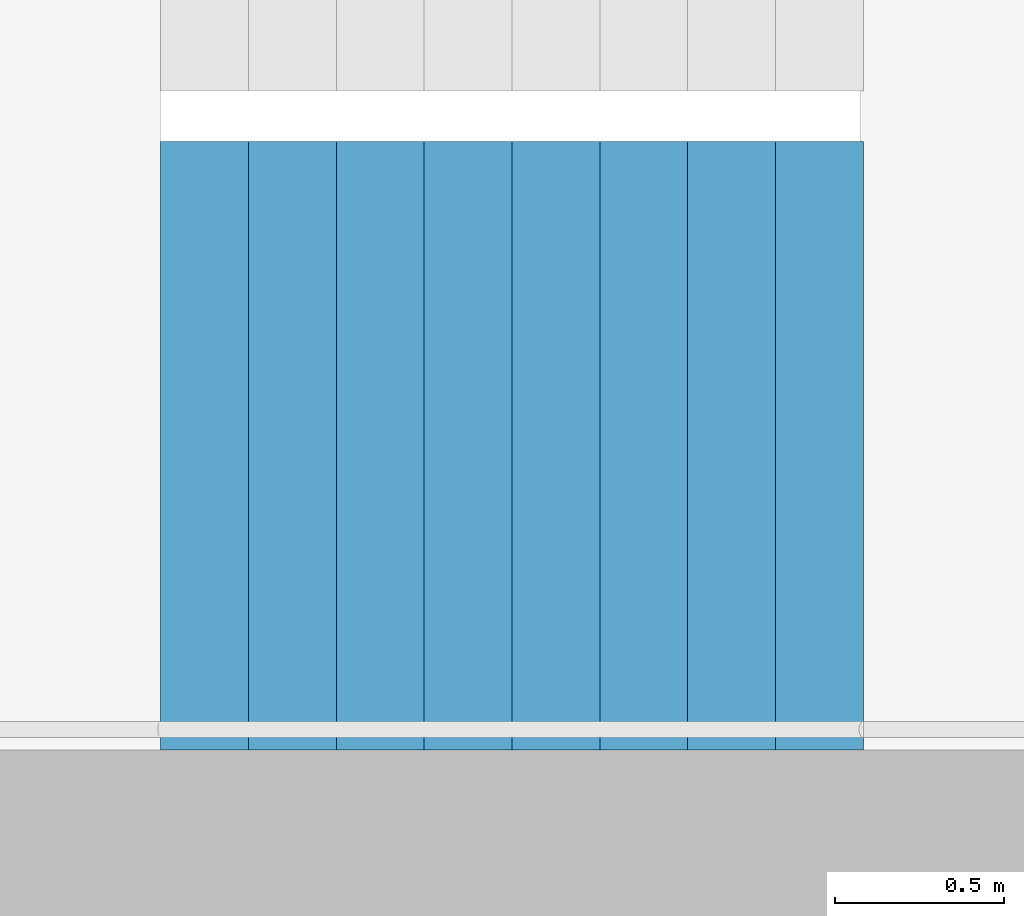
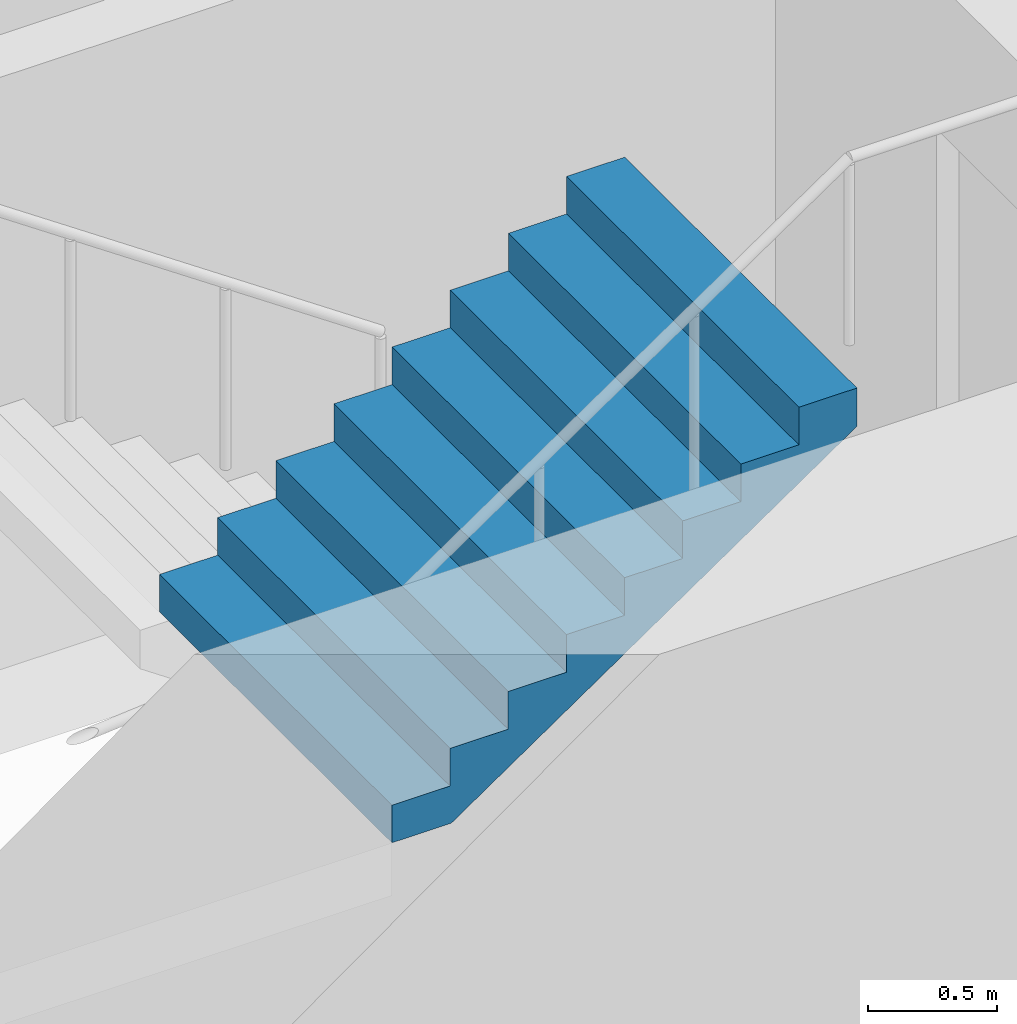
# One storey, part 22 of 37: 1 stair flight, 1 element without a shape of its own.
"""IFC4 building model written with IfcOpenShell, lengths in metres."""

from ifc_helpers import new_model, si_unit, direction, frame, origin, place, context, subcontext, project, spatial, triangles, material, type_object, element, aggregate, save


model = new_model("IFC4")

# Units and contexts
model_context = context("Model", 3, precision=1e-05, world=origin(), true_north=direction((0.0, 1.0)))
body_context = subcontext(model_context, "Body", "Model", "MODEL_VIEW")
ifc_project = project(units=[si_unit("LENGTHUNIT", "METRE"), si_unit("AREAUNIT", "SQUARE_METRE"), si_unit("VOLUMEUNIT", "CUBIC_METRE"), si_unit("PLANEANGLEUNIT", "RADIAN"), si_unit("MASSUNIT", "GRAM", prefix="KILO")], contexts=[model_context])

# Site, building, storey
site_placement = place(None, origin())
site = spatial("IfcSite", under=ifc_project, at=site_placement, CompositionType="ELEMENT")
building_placement = place(site_placement, origin())
building = spatial("IfcBuilding", under=site, at=building_placement, Name="Hakoniwa Tower and Hamabe Station Hall", CompositionType="ELEMENT")
storey_placement = place(building_placement, frame((0.0, 0.0, 39.0)))
storey = spatial("IfcBuildingStorey", under=building, at=storey_placement, Name="L10", CompositionType="ELEMENT", Elevation=39.0)

# Stair, stair flight
ifc_material_1 = material(Name="Concrete C40", Category="concrete")
stair_type = type_object("IfcStairType", Name="ESCAPE STAIR 1800", PredefinedType="HALF_TURN_STAIR", material=ifc_material_1)
stair_placement = place(storey_placement, origin())
stair = element("IfcStair", 1, at=stair_placement, inside=storey, type_object=stair_type, Name="Escape stair ST-2 L10", PredefinedType="HALF_TURN_STAIR")
ifc_material_2 = material(Name="Concrete C40", Category="concrete")
stair_flight_type = type_object("IfcStairFlightType", Name="STAIR FLIGHT 1800", PredefinedType="STRAIGHT", material=ifc_material_2)
stair_flight_placement = place(storey_placement, frame((-25.47998046875, -6.60009765625, 1.60009765625), z_axis=(0.0, 0.0, 1.0), x_axis=(1.0, 0.0, 0.0)))
stair_flight = element("IfcStairFlight", 2, at=stair_flight_placement, type_object=stair_flight_type, Name="ST-2 flight 2", NumberOfRisers=9, NumberOfTreads=8, PredefinedType="STRAIGHT", RiserHeight=0.177777778, TreadLength=0.26, context=body_context, shape_type="Tessellation", body=[
    triangles([(0.0, 0.89990234375, 0.0), (0.260009765625, 0.89990234375, 0.0), (0.265625, 0.89990234375, 0.0), (0.52001953125, 0.89990234375, 0.174072265625), (0.780029296875, 0.89990234375, 0.351806640625), (1.0400390625, 0.89990234375, 0.529541015625), (1.300048828125, 0.89990234375, 0.707275390625), (1.56005859375, 0.89990234375, 0.885009765625), (1.820068359375, 0.89990234375, 1.062744140625), (2.080078125, 0.89990234375, 1.24072265625), (2.080078125, 0.89990234375, 1.422119140625), (1.820068359375, 0.89990234375, 1.422119140625), (1.820068359375, 0.89990234375, 1.244384765625), (1.56005859375, 0.89990234375, 1.244384765625), (1.56005859375, 0.89990234375, 1.066650390625), (1.300048828125, 0.89990234375, 1.066650390625), (1.300048828125, 0.89990234375, 0.888916015625), (1.0400390625, 0.89990234375, 0.888916015625), (1.0400390625, 0.89990234375, 0.711181640625), (0.780029296875, 0.89990234375, 0.711181640625), (0.780029296875, 0.89990234375, 0.533447265625), (0.52001953125, 0.89990234375, 0.533447265625), (0.52001953125, 0.89990234375, 0.35546875), (0.265625, 0.89990234375, 0.35546875), (0.260009765625, 0.89990234375, 0.35546875), (0.260009765625, 0.89990234375, 0.177734375), (0.0, 0.89990234375, 0.177734375), (0.0, 0.06005859375, 0.0), (0.260009765625, 0.06005859375, 0.0), (0.265625, 0.06005859375, 0.0), (0.52001953125, 0.06005859375, 0.174072265625), (0.780029296875, 0.06005859375, 0.351806640625), (1.0400390625, 0.06005859375, 0.529541015625), (1.300048828125, 0.06005859375, 0.707275390625), (1.56005859375, 0.06005859375, 0.885009765625), (1.820068359375, 0.06005859375, 1.062744140625), (2.080078125, 0.06005859375, 1.24072265625), (2.080078125, 0.06005859375, 1.422119140625), (1.820068359375, 0.06005859375, 1.422119140625), (1.820068359375, 0.06005859375, 1.244384765625), (1.56005859375, 0.06005859375, 1.244384765625), (1.56005859375, 0.06005859375, 1.066650390625), (1.300048828125, 0.06005859375, 1.066650390625), (1.300048828125, 0.06005859375, 0.888916015625), (1.0400390625, 0.06005859375, 0.888916015625), (1.0400390625, 0.06005859375, 0.711181640625), (0.780029296875, 0.06005859375, 0.711181640625), (0.780029296875, 0.06005859375, 0.533447265625), (0.52001953125, 0.06005859375, 0.533447265625), (0.52001953125, 0.06005859375, 0.35546875), (0.265625, 0.06005859375, 0.35546875), (0.260009765625, 0.06005859375, 0.35546875), (0.260009765625, 0.06005859375, 0.177734375), (0.0, 0.06005859375, 0.177734375), (0.0, 0.04296875, 0.0), (0.260009765625, 0.04296875, 0.0), (0.265625, 0.04296875, 0.0), (0.52001953125, 0.04296875, 0.174072265625), (0.780029296875, 0.04296875, 0.351806640625), (1.0400390625, 0.04296875, 0.529541015625), (1.300048828125, 0.04296875, 0.707275390625), (1.56005859375, 0.04296875, 0.885009765625), (1.820068359375, 0.04296875, 1.062744140625), (2.080078125, 0.04296875, 1.24072265625), (2.080078125, 0.04296875, 1.422119140625), (1.820068359375, 0.04296875, 1.422119140625), (1.820068359375, 0.04296875, 1.244384765625), (1.56005859375, 0.04296875, 1.244384765625), (1.56005859375, 0.04296875, 1.066650390625), (1.300048828125, 0.04296875, 1.066650390625), (1.300048828125, 0.04296875, 0.888916015625), (1.0400390625, 0.04296875, 0.888916015625), (1.0400390625, 0.04296875, 0.711181640625), (0.780029296875, 0.04296875, 0.711181640625), (0.780029296875, 0.04296875, 0.533447265625), (0.52001953125, 0.04296875, 0.533447265625), (0.52001953125, 0.04296875, 0.35546875), (0.265625, 0.04296875, 0.35546875), (0.260009765625, 0.04296875, 0.35546875), (0.260009765625, 0.04296875, 0.177734375), (0.0, 0.04296875, 0.177734375), (0.0, 0.025634765625, 0.0), (0.260009765625, 0.025634765625, 0.0), (0.265625, 0.025634765625, 0.0), (0.52001953125, 0.025634765625, 0.174072265625), (0.780029296875, 0.025634765625, 0.351806640625), (1.0400390625, 0.025634765625, 0.529541015625), (1.300048828125, 0.025634765625, 0.707275390625), (1.56005859375, 0.025634765625, 0.885009765625), (1.820068359375, 0.025634765625, 1.062744140625), (2.080078125, 0.025634765625, 1.24072265625), (2.080078125, 0.025634765625, 1.422119140625), (1.820068359375, 0.025634765625, 1.422119140625), (1.820068359375, 0.025634765625, 1.244384765625), (1.56005859375, 0.025634765625, 1.244384765625), (1.56005859375, 0.025634765625, 1.066650390625), (1.300048828125, 0.025634765625, 1.066650390625), (1.300048828125, 0.025634765625, 0.888916015625), (1.0400390625, 0.025634765625, 0.888916015625), (1.0400390625, 0.025634765625, 0.711181640625), (0.780029296875, 0.025634765625, 0.711181640625), (0.780029296875, 0.025634765625, 0.533447265625), (0.52001953125, 0.025634765625, 0.533447265625), (0.52001953125, 0.025634765625, 0.35546875), (0.265625, 0.025634765625, 0.35546875), (0.260009765625, 0.025634765625, 0.35546875), (0.260009765625, 0.025634765625, 0.177734375), (0.0, 0.025634765625, 0.177734375), (0.0, 0.008544921875, 0.0), (0.260009765625, 0.008544921875, 0.0), (0.265625, 0.008544921875, 0.0), (0.52001953125, 0.008544921875, 0.174072265625), (0.780029296875, 0.008544921875, 0.351806640625), (1.0400390625, 0.008544921875, 0.529541015625), (1.300048828125, 0.008544921875, 0.707275390625), (1.56005859375, 0.008544921875, 0.885009765625), (1.820068359375, 0.008544921875, 1.062744140625), (2.080078125, 0.008544921875, 1.24072265625), (2.080078125, 0.008544921875, 1.422119140625), (1.820068359375, 0.008544921875, 1.422119140625), (1.820068359375, 0.008544921875, 1.244384765625), (1.56005859375, 0.008544921875, 1.244384765625), (1.56005859375, 0.008544921875, 1.066650390625), (1.300048828125, 0.008544921875, 1.066650390625), (1.300048828125, 0.008544921875, 0.888916015625), (1.0400390625, 0.008544921875, 0.888916015625), (1.0400390625, 0.008544921875, 0.711181640625), (0.780029296875, 0.008544921875, 0.711181640625), (0.780029296875, 0.008544921875, 0.533447265625), (0.52001953125, 0.008544921875, 0.533447265625), (0.52001953125, 0.008544921875, 0.35546875), (0.265625, 0.008544921875, 0.35546875), (0.260009765625, 0.008544921875, 0.35546875), (0.260009765625, 0.008544921875, 0.177734375), (0.0, 0.008544921875, 0.177734375), (0.0, -0.008544921875, 0.0), (0.260009765625, -0.008544921875, 0.0), (0.265625, -0.008544921875, 0.0), (0.52001953125, -0.008544921875, 0.174072265625), (0.780029296875, -0.008544921875, 0.351806640625), (1.0400390625, -0.008544921875, 0.529541015625), (1.300048828125, -0.008544921875, 0.707275390625), (1.56005859375, -0.008544921875, 0.885009765625), (1.820068359375, -0.008544921875, 1.062744140625), (2.080078125, -0.008544921875, 1.24072265625), (2.080078125, -0.008544921875, 1.422119140625), (1.820068359375, -0.008544921875, 1.422119140625), (1.820068359375, -0.008544921875, 1.244384765625), (1.56005859375, -0.008544921875, 1.244384765625), (1.56005859375, -0.008544921875, 1.066650390625), (1.300048828125, -0.008544921875, 1.066650390625), (1.300048828125, -0.008544921875, 0.888916015625), (1.0400390625, -0.008544921875, 0.888916015625), (1.0400390625, -0.008544921875, 0.711181640625), (0.780029296875, -0.008544921875, 0.711181640625), (0.780029296875, -0.008544921875, 0.533447265625), (0.52001953125, -0.008544921875, 0.533447265625), (0.52001953125, -0.008544921875, 0.35546875), (0.265625, -0.008544921875, 0.35546875), (0.260009765625, -0.008544921875, 0.35546875), (0.260009765625, -0.008544921875, 0.177734375), (0.0, -0.008544921875, 0.177734375), (0.0, -0.025634765625, 0.0), (0.260009765625, -0.025634765625, 0.0), (0.265625, -0.025634765625, 0.0), (0.52001953125, -0.025634765625, 0.174072265625), (0.780029296875, -0.025634765625, 0.351806640625), (1.0400390625, -0.025634765625, 0.529541015625), (1.300048828125, -0.025634765625, 0.707275390625), (1.56005859375, -0.025634765625, 0.885009765625), (1.820068359375, -0.025634765625, 1.062744140625), (2.080078125, -0.025634765625, 1.24072265625), (2.080078125, -0.025634765625, 1.422119140625), (1.820068359375, -0.025634765625, 1.422119140625), (1.820068359375, -0.025634765625, 1.244384765625), (1.56005859375, -0.025634765625, 1.244384765625), (1.56005859375, -0.025634765625, 1.066650390625), (1.300048828125, -0.025634765625, 1.066650390625), (1.300048828125, -0.025634765625, 0.888916015625), (1.0400390625, -0.025634765625, 0.888916015625), (1.0400390625, -0.025634765625, 0.711181640625), (0.780029296875, -0.025634765625, 0.711181640625), (0.780029296875, -0.025634765625, 0.533447265625), (0.52001953125, -0.025634765625, 0.533447265625), (0.52001953125, -0.025634765625, 0.35546875), (0.265625, -0.025634765625, 0.35546875), (0.260009765625, -0.025634765625, 0.35546875), (0.260009765625, -0.025634765625, 0.177734375), (0.0, -0.025634765625, 0.177734375), (0.0, -0.04296875, 0.0), (0.260009765625, -0.04296875, 0.0), (0.265625, -0.04296875, 0.0), (0.52001953125, -0.04296875, 0.174072265625), (0.780029296875, -0.04296875, 0.351806640625), (1.0400390625, -0.04296875, 0.529541015625), (1.300048828125, -0.04296875, 0.707275390625), (1.56005859375, -0.04296875, 0.885009765625), (1.820068359375, -0.04296875, 1.062744140625), (2.080078125, -0.04296875, 1.24072265625), (2.080078125, -0.04296875, 1.422119140625), (1.820068359375, -0.04296875, 1.422119140625), (1.820068359375, -0.04296875, 1.244384765625), (1.56005859375, -0.04296875, 1.244384765625), (1.56005859375, -0.04296875, 1.066650390625), (1.300048828125, -0.04296875, 1.066650390625), (1.300048828125, -0.04296875, 0.888916015625), (1.0400390625, -0.04296875, 0.888916015625), (1.0400390625, -0.04296875, 0.711181640625), (0.780029296875, -0.04296875, 0.711181640625), (0.780029296875, -0.04296875, 0.533447265625), (0.52001953125, -0.04296875, 0.533447265625), (0.52001953125, -0.04296875, 0.35546875), (0.265625, -0.04296875, 0.35546875), (0.260009765625, -0.04296875, 0.35546875), (0.260009765625, -0.04296875, 0.177734375), (0.0, -0.04296875, 0.177734375), (0.0, -0.06005859375, 0.0), (0.260009765625, -0.06005859375, 0.0), (0.265625, -0.06005859375, 0.0), (0.52001953125, -0.06005859375, 0.174072265625), (0.780029296875, -0.06005859375, 0.351806640625), (1.0400390625, -0.06005859375, 0.529541015625), (1.300048828125, -0.06005859375, 0.707275390625), (1.56005859375, -0.06005859375, 0.885009765625), (1.820068359375, -0.06005859375, 1.062744140625), (2.080078125, -0.06005859375, 1.24072265625), (2.080078125, -0.06005859375, 1.422119140625), (1.820068359375, -0.06005859375, 1.422119140625), (1.820068359375, -0.06005859375, 1.244384765625), (1.56005859375, -0.06005859375, 1.244384765625), (1.56005859375, -0.06005859375, 1.066650390625), (1.300048828125, -0.06005859375, 1.066650390625), (1.300048828125, -0.06005859375, 0.888916015625), (1.0400390625, -0.06005859375, 0.888916015625), (1.0400390625, -0.06005859375, 0.711181640625), (0.780029296875, -0.06005859375, 0.711181640625), (0.780029296875, -0.06005859375, 0.533447265625), (0.52001953125, -0.06005859375, 0.533447265625), (0.52001953125, -0.06005859375, 0.35546875), (0.265625, -0.06005859375, 0.35546875), (0.260009765625, -0.06005859375, 0.35546875), (0.260009765625, -0.06005859375, 0.177734375), (0.0, -0.06005859375, 0.177734375), (0.0, -0.89990234375, 0.0), (0.260009765625, -0.89990234375, 0.0), (0.265625, -0.89990234375, 0.0), (0.52001953125, -0.89990234375, 0.174072265625), (0.780029296875, -0.89990234375, 0.351806640625), (1.0400390625, -0.89990234375, 0.529541015625), (1.300048828125, -0.89990234375, 0.707275390625), (1.56005859375, -0.89990234375, 0.885009765625), (1.820068359375, -0.89990234375, 1.062744140625), (2.080078125, -0.89990234375, 1.24072265625), (2.080078125, -0.89990234375, 1.422119140625), (1.820068359375, -0.89990234375, 1.422119140625), (1.820068359375, -0.89990234375, 1.244384765625), (1.56005859375, -0.89990234375, 1.244384765625), (1.56005859375, -0.89990234375, 1.066650390625), (1.300048828125, -0.89990234375, 1.066650390625), (1.300048828125, -0.89990234375, 0.888916015625), (1.0400390625, -0.89990234375, 0.888916015625), (1.0400390625, -0.89990234375, 0.711181640625), (0.780029296875, -0.89990234375, 0.711181640625), (0.780029296875, -0.89990234375, 0.533447265625), (0.52001953125, -0.89990234375, 0.533447265625), (0.52001953125, -0.89990234375, 0.35546875), (0.265625, -0.89990234375, 0.35546875), (0.260009765625, -0.89990234375, 0.35546875), (0.260009765625, -0.89990234375, 0.177734375), (0.0, -0.89990234375, 0.177734375)], [[2, 27, 26], [245, 269, 270], [2, 1, 27], [245, 270, 244], [3, 25, 24], [246, 267, 268], [3, 26, 25], [246, 268, 269], [3, 2, 26], [246, 269, 245], [4, 24, 23], [247, 266, 267], [4, 3, 24], [247, 267, 246], [5, 22, 21], [248, 264, 265], [5, 23, 22], [248, 265, 266], [5, 4, 23], [248, 266, 247], [6, 20, 19], [249, 262, 263], [6, 21, 20], [249, 263, 264], [6, 5, 21], [249, 264, 248], [7, 18, 17], [250, 260, 261], [7, 19, 18], [250, 261, 262], [7, 6, 19], [250, 262, 249], [8, 16, 15], [251, 258, 259], [8, 17, 16], [251, 259, 260], [8, 7, 17], [251, 260, 250], [9, 14, 13], [252, 256, 257], [9, 15, 14], [252, 257, 258], [9, 8, 15], [252, 258, 251], [10, 12, 11], [253, 254, 255], [10, 13, 12], [253, 255, 256], [10, 9, 13], [253, 256, 252], [1, 2, 29], [1, 29, 28], [28, 29, 56], [28, 56, 55], [55, 56, 83], [55, 83, 82], [82, 83, 110], [82, 110, 109], [109, 110, 137], [109, 137, 136], [136, 137, 164], [136, 164, 163], [163, 164, 191], [163, 191, 190], [190, 191, 218], [190, 218, 217], [217, 218, 245], [217, 245, 244], [2, 3, 30], [2, 30, 29], [29, 30, 57], [29, 57, 56], [56, 57, 84], [56, 84, 83], [83, 84, 111], [83, 111, 110], [110, 111, 138], [110, 138, 137], [137, 138, 165], [137, 165, 164], [164, 165, 192], [164, 192, 191], [191, 192, 219], [191, 219, 218], [218, 219, 246], [218, 246, 245], [3, 4, 31], [3, 31, 30], [30, 31, 58], [30, 58, 57], [57, 58, 85], [57, 85, 84], [84, 85, 112], [84, 112, 111], [111, 112, 139], [111, 139, 138], [138, 139, 166], [138, 166, 165], [165, 166, 193], [165, 193, 192], [192, 193, 220], [192, 220, 219], [219, 220, 247], [219, 247, 246], [4, 5, 32], [4, 32, 31], [31, 32, 59], [31, 59, 58], [58, 59, 86], [58, 86, 85], [85, 86, 113], [85, 113, 112], [112, 113, 140], [112, 140, 139], [139, 140, 167], [139, 167, 166], [166, 167, 194], [166, 194, 193], [193, 194, 221], [193, 221, 220], [220, 221, 248], [220, 248, 247], [5, 6, 33], [5, 33, 32], [32, 33, 60], [32, 60, 59], [59, 60, 87], [59, 87, 86], [86, 87, 114], [86, 114, 113], [113, 114, 141], [113, 141, 140], [140, 141, 168], [140, 168, 167], [167, 168, 195], [167, 195, 194], [194, 195, 222], [194, 222, 221], [221, 222, 249], [221, 249, 248], [6, 7, 34], [6, 34, 33], [33, 34, 61], [33, 61, 60], [60, 61, 88], [60, 88, 87], [87, 88, 115], [87, 115, 114], [114, 115, 142], [114, 142, 141], [141, 142, 169], [141, 169, 168], [168, 169, 196], [168, 196, 195], [195, 196, 223], [195, 223, 222], [222, 223, 250], [222, 250, 249], [7, 8, 35], [7, 35, 34], [34, 35, 62], [34, 62, 61], [61, 62, 89], [61, 89, 88], [88, 89, 116], [88, 116, 115], [115, 116, 143], [115, 143, 142], [142, 143, 170], [142, 170, 169], [169, 170, 197], [169, 197, 196], [196, 197, 224], [196, 224, 223], [223, 224, 251], [223, 251, 250], [8, 9, 36], [8, 36, 35], [35, 36, 63], [35, 63, 62], [62, 63, 90], [62, 90, 89], [89, 90, 117], [89, 117, 116], [116, 117, 144], [116, 144, 143], [143, 144, 171], [143, 171, 170], [170, 171, 198], [170, 198, 197], [197, 198, 225], [197, 225, 224], [224, 225, 252], [224, 252, 251], [9, 10, 37], [9, 37, 36], [36, 37, 64], [36, 64, 63], [63, 64, 91], [63, 91, 90], [90, 91, 118], [90, 118, 117], [117, 118, 145], [117, 145, 144], [144, 145, 172], [144, 172, 171], [171, 172, 199], [171, 199, 198], [198, 199, 226], [198, 226, 225], [225, 226, 253], [225, 253, 252], [10, 11, 38], [10, 38, 37], [37, 38, 65], [37, 65, 64], [64, 65, 92], [64, 92, 91], [91, 92, 119], [91, 119, 118], [118, 119, 146], [118, 146, 145], [145, 146, 173], [145, 173, 172], [172, 173, 200], [172, 200, 199], [199, 200, 227], [199, 227, 226], [226, 227, 254], [226, 254, 253], [11, 12, 39], [11, 39, 38], [38, 39, 66], [38, 66, 65], [65, 66, 93], [65, 93, 92], [92, 93, 120], [92, 120, 119], [119, 120, 147], [119, 147, 146], [146, 147, 174], [146, 174, 173], [173, 174, 201], [173, 201, 200], [200, 201, 228], [200, 228, 227], [227, 228, 255], [227, 255, 254], [12, 13, 40], [12, 40, 39], [39, 40, 67], [39, 67, 66], [66, 67, 94], [66, 94, 93], [93, 94, 121], [93, 121, 120], [120, 121, 148], [120, 148, 147], [147, 148, 175], [147, 175, 174], [174, 175, 202], [174, 202, 201], [201, 202, 229], [201, 229, 228], [228, 229, 256], [228, 256, 255], [13, 14, 41], [13, 41, 40], [40, 41, 68], [40, 68, 67], [67, 68, 95], [67, 95, 94], [94, 95, 122], [94, 122, 121], [121, 122, 149], [121, 149, 148], [148, 149, 176], [148, 176, 175], [175, 176, 203], [175, 203, 202], [202, 203, 230], [202, 230, 229], [229, 230, 257], [229, 257, 256], [14, 15, 42], [14, 42, 41], [41, 42, 69], [41, 69, 68], [68, 69, 96], [68, 96, 95], [95, 96, 123], [95, 123, 122], [122, 123, 150], [122, 150, 149], [149, 150, 177], [149, 177, 176], [176, 177, 204], [176, 204, 203], [203, 204, 231], [203, 231, 230], [230, 231, 258], [230, 258, 257], [15, 16, 43], [15, 43, 42], [42, 43, 70], [42, 70, 69], [69, 70, 97], [69, 97, 96], [96, 97, 124], [96, 124, 123], [123, 124, 151], [123, 151, 150], [150, 151, 178], [150, 178, 177], [177, 178, 205], [177, 205, 204], [204, 205, 232], [204, 232, 231], [231, 232, 259], [231, 259, 258], [16, 17, 44], [16, 44, 43], [43, 44, 71], [43, 71, 70], [70, 71, 98], [70, 98, 97], [97, 98, 125], [97, 125, 124], [124, 125, 152], [124, 152, 151], [151, 152, 179], [151, 179, 178], [178, 179, 206], [178, 206, 205], [205, 206, 233], [205, 233, 232], [232, 233, 260], [232, 260, 259], [17, 18, 45], [17, 45, 44], [44, 45, 72], [44, 72, 71], [71, 72, 99], [71, 99, 98], [98, 99, 126], [98, 126, 125], [125, 126, 153], [125, 153, 152], [152, 153, 180], [152, 180, 179], [179, 180, 207], [179, 207, 206], [206, 207, 234], [206, 234, 233], [233, 234, 261], [233, 261, 260], [18, 19, 46], [18, 46, 45], [45, 46, 73], [45, 73, 72], [72, 73, 100], [72, 100, 99], [99, 100, 127], [99, 127, 126], [126, 127, 154], [126, 154, 153], [153, 154, 181], [153, 181, 180], [180, 181, 208], [180, 208, 207], [207, 208, 235], [207, 235, 234], [234, 235, 262], [234, 262, 261], [19, 20, 47], [19, 47, 46], [46, 47, 74], [46, 74, 73], [73, 74, 101], [73, 101, 100], [100, 101, 128], [100, 128, 127], [127, 128, 155], [127, 155, 154], [154, 155, 182], [154, 182, 181], [181, 182, 209], [181, 209, 208], [208, 209, 236], [208, 236, 235], [235, 236, 263], [235, 263, 262], [20, 21, 48], [20, 48, 47], [47, 48, 75], [47, 75, 74], [74, 75, 102], [74, 102, 101], [101, 102, 129], [101, 129, 128], [128, 129, 156], [128, 156, 155], [155, 156, 183], [155, 183, 182], [182, 183, 210], [182, 210, 209], [209, 210, 237], [209, 237, 236], [236, 237, 264], [236, 264, 263], [21, 22, 49], [21, 49, 48], [48, 49, 76], [48, 76, 75], [75, 76, 103], [75, 103, 102], [102, 103, 130], [102, 130, 129], [129, 130, 157], [129, 157, 156], [156, 157, 184], [156, 184, 183], [183, 184, 211], [183, 211, 210], [210, 211, 238], [210, 238, 237], [237, 238, 265], [237, 265, 264], [22, 23, 50], [22, 50, 49], [49, 50, 77], [49, 77, 76], [76, 77, 104], [76, 104, 103], [103, 104, 131], [103, 131, 130], [130, 131, 158], [130, 158, 157], [157, 158, 185], [157, 185, 184], [184, 185, 212], [184, 212, 211], [211, 212, 239], [211, 239, 238], [238, 239, 266], [238, 266, 265], [23, 24, 51], [23, 51, 50], [50, 51, 78], [50, 78, 77], [77, 78, 105], [77, 105, 104], [104, 105, 132], [104, 132, 131], [131, 132, 159], [131, 159, 158], [158, 159, 186], [158, 186, 185], [185, 186, 213], [185, 213, 212], [212, 213, 240], [212, 240, 239], [239, 240, 267], [239, 267, 266], [24, 25, 52], [24, 52, 51], [51, 52, 79], [51, 79, 78], [78, 79, 106], [78, 106, 105], [105, 106, 133], [105, 133, 132], [132, 133, 160], [132, 160, 159], [159, 160, 187], [159, 187, 186], [186, 187, 214], [186, 214, 213], [213, 214, 241], [213, 241, 240], [240, 241, 268], [240, 268, 267], [25, 26, 53], [25, 53, 52], [52, 53, 80], [52, 80, 79], [79, 80, 107], [79, 107, 106], [106, 107, 134], [106, 134, 133], [133, 134, 161], [133, 161, 160], [160, 161, 188], [160, 188, 187], [187, 188, 215], [187, 215, 214], [214, 215, 242], [214, 242, 241], [241, 242, 269], [241, 269, 268], [26, 27, 54], [26, 54, 53], [53, 54, 81], [53, 81, 80], [80, 81, 108], [80, 108, 107], [107, 108, 135], [107, 135, 134], [134, 135, 162], [134, 162, 161], [161, 162, 189], [161, 189, 188], [188, 189, 216], [188, 216, 215], [215, 216, 243], [215, 243, 242], [242, 243, 270], [242, 270, 269], [27, 1, 28], [27, 28, 54], [54, 28, 55], [54, 55, 81], [81, 55, 82], [81, 82, 108], [108, 82, 109], [108, 109, 135], [135, 109, 136], [135, 136, 162], [162, 136, 163], [162, 163, 189], [189, 163, 190], [189, 190, 216], [216, 190, 217], [216, 217, 243], [243, 217, 244], [243, 244, 270]], closed=True),
])
aggregate(stair, [stair_flight])

save(model, "model.ifc")
